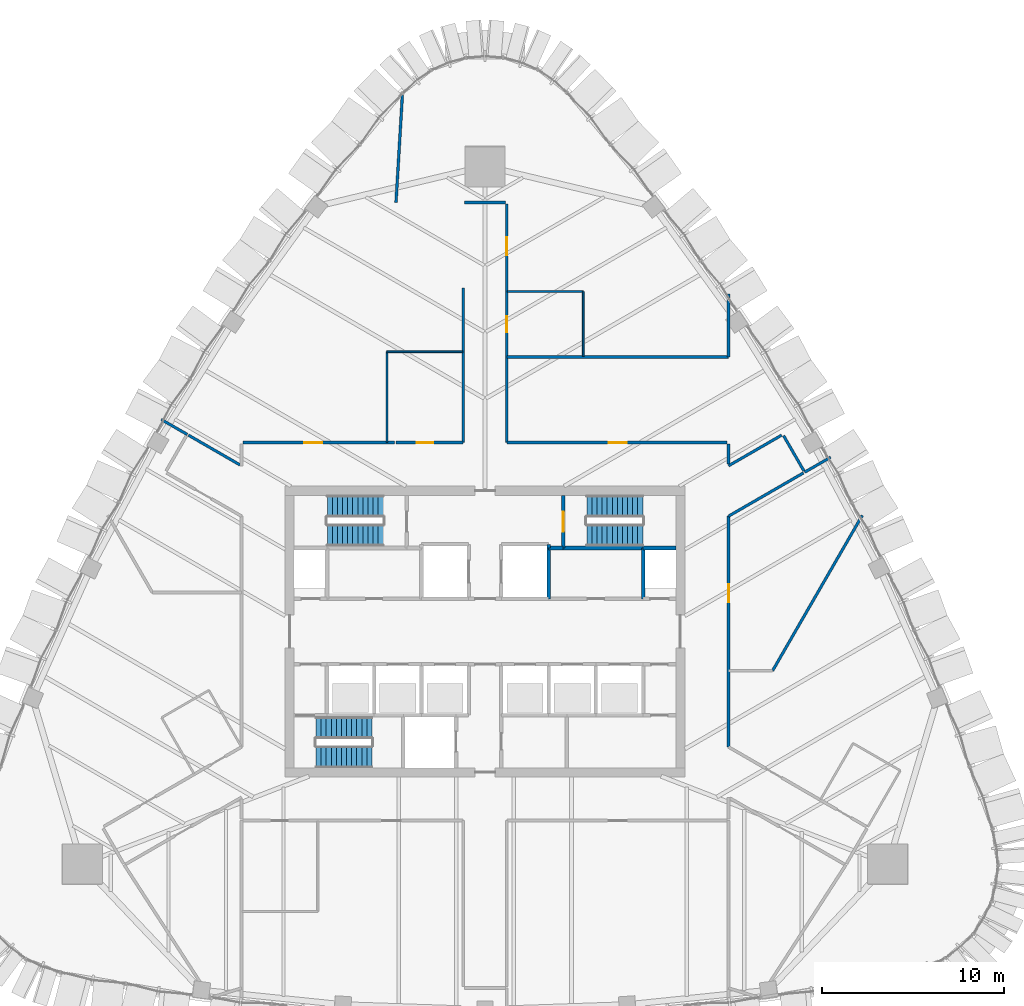
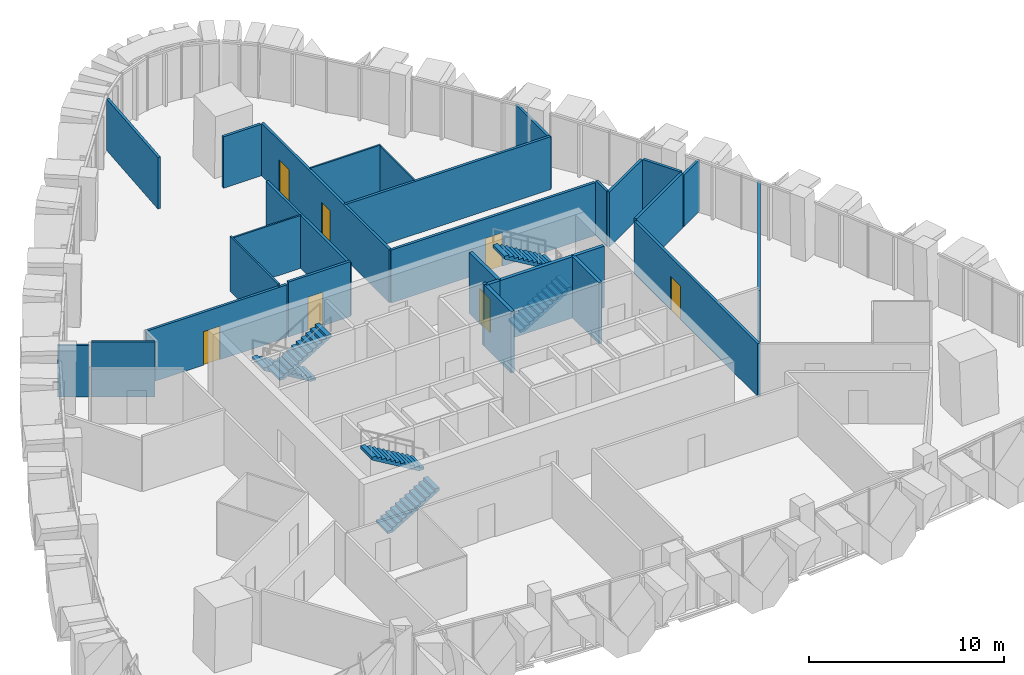
# One storey, part 15 of 19: 29 walls, 7 doors, 6 stair flights, 7 openings, 3 elements without a shape of their own.
"""IFC4 building model written with IfcOpenShell, lengths in metres."""

from ifc_helpers import new_model, si_unit, direction, frame, frame_2d, origin, place, context, subcontext, project, spatial, polyline, rectangle, outline, extrude, material, layer, layer_set, type_object, element, fill, aggregate, save


model = new_model("IFC4")

# Units and contexts
model_context = context("Model", 3, precision=1e-05, world=origin(), true_north=direction((0.0, 1.0)))
body_context = subcontext(model_context, "Body", "Model", "MODEL_VIEW")
ifc_project = project(units=[si_unit("LENGTHUNIT", "METRE"), si_unit("AREAUNIT", "SQUARE_METRE"), si_unit("VOLUMEUNIT", "CUBIC_METRE"), si_unit("PLANEANGLEUNIT", "RADIAN"), si_unit("MASSUNIT", "GRAM", prefix="KILO")], contexts=[model_context])

# Site, building, storey
site_placement = place(None, origin())
site = spatial("IfcSite", under=ifc_project, at=site_placement, CompositionType="ELEMENT")
building_placement = place(site_placement, origin())
building = spatial("IfcBuilding", under=site, at=building_placement, Name="Sierra Prisma Convention Tower", CompositionType="ELEMENT")
storey_placement = place(building_placement, frame((0.0, 0.0, 235.0)))
storey = spatial("IfcBuildingStorey", under=building, at=storey_placement, Name="L52", CompositionType="ELEMENT", Elevation=235.0)

# Walls
ifc_material_1 = material(Name="Gypsum board partition", Category="gypsum")
ifc_layer_1 = layer(ifc_material_1, 0.10009765625)
ifc_layer_set_1 = layer_set([ifc_layer_1], Name="Bathroom partition 100")
wall_type_1 = type_object("IfcWallType", Name="Bathroom partition 100", PredefinedType="PARTITIONING", material=ifc_layer_set_1)
wall_1_placement = place(storey_placement, frame((-5.39990234375, 10.429931640625, 0.0), z_axis=(0.0, 0.0, 1.0), x_axis=(0.0, 1.0, 0.0)))
element("IfcWall", 1, at=wall_1_placement, inside=storey, type_object=wall_type_1, Name="Partition L52 bath 6", PredefinedType="PARTITIONING", context=body_context, shape_type="SweptSolid", body=[
    extrude(rectangle(XDim=4.969970703125, YDim=0.10009765625, at=frame_2d((2.48486328125, 0.0))), origin(), (0.0, 0.0, 1.0), 3.449951171875),
])
wall_2_placement = place(storey_placement, frame((-5.39990234375, 15.39990234375, 0.0), z_axis=(0.0, 0.0, 1.0), x_axis=(1.0, 0.0, 0.0)))
element("IfcWall", 2, at=wall_2_placement, inside=storey, type_object=wall_type_1, Name="Partition L52 bath 7", PredefinedType="PARTITIONING", context=body_context, shape_type="SweptSolid", body=[
    extrude(rectangle(XDim=4.169921875, YDim=0.10009765625, at=frame_2d((2.0849609375, 0.0))), origin(), (0.0, 0.0, 1.0), 3.31689453125),
])
wall_3_placement = place(storey_placement, frame((1.22998046875, 18.712158203125, 0.0), z_axis=(0.0, 0.0, 1.0), x_axis=(1.0, 0.0, 0.0)))
element("IfcWall", 3, at=wall_3_placement, inside=storey, type_object=wall_type_1, Name="Partition L52 bath 8", PredefinedType="PARTITIONING", context=body_context, shape_type="SweptSolid", body=[
    extrude(rectangle(XDim=4.169921875, YDim=0.10009765625, at=frame_2d((2.0849609375, 0.0))), origin(), (0.0, 0.0, 1.0), 3.39306640625),
])
wall_4_placement = place(storey_placement, frame((5.39990234375, 18.712158203125, 0.0), z_axis=(0.0, 0.0, 1.0), x_axis=(0.0, -1.0, 0.0)))
element("IfcWall", 4, at=wall_4_placement, inside=storey, type_object=wall_type_1, Name="Partition L52 bath 9", PredefinedType="PARTITIONING", context=body_context, shape_type="SweptSolid", body=[
    extrude(rectangle(XDim=3.570068359375, YDim=0.10009765625, at=frame_2d((1.78515625, 0.0))), origin(), (0.0, 0.0, 1.0), 3.31689453125),
])
ifc_material_2 = material(Name="Concrete C30/37", Category="concrete")
ifc_layer_2 = layer(ifc_material_2, 0.199951171875)
ifc_layer_set_2 = layer_set([ifc_layer_2], Name="Core wall RC 200 C30/37")
wall_type_2 = type_object("IfcWallType", Name="Core wall RC 200 C30/37", PredefinedType="SOLIDWALL", material=ifc_layer_set_2)
wall_5_placement = place(storey_placement, frame((3.5, 4.60009765625, 0.0), z_axis=(0.0, 0.0, 1.0), x_axis=(0.0, 1.0, 0.0)))
element("IfcWall", 5, at=wall_5_placement, inside=storey, type_object=wall_type_2, Name="Core wall L52 36", PredefinedType="SOLIDWALL", context=body_context, shape_type="SweptSolid", body=[
    extrude(rectangle(XDim=0.199951171875, YDim=0.199951171875, at=frame_2d((0.10009765625, 0.0))), origin(), (0.0, 0.0, 1.0), 3.85009765625),
])
wall_6_placement = place(storey_placement, frame((3.5, 4.60009765625, 0.0), z_axis=(0.0, 0.0, 1.0), x_axis=(0.0, -1.0, 0.0)))
element("IfcWall", 6, at=wall_6_placement, inside=storey, type_object=wall_type_2, Name="Core wall L52 43", PredefinedType="SOLIDWALL", context=body_context, shape_type="SweptSolid", body=[
    extrude(rectangle(XDim=2.800048828125, YDim=0.199951171875, at=frame_2d((1.39990234375, 0.0))), origin(), (0.0, 0.0, 1.0), 3.85009765625),
])
wall_7_placement = place(storey_placement, frame((4.300048828125, 4.60009765625, 0.0), z_axis=(0.0, 0.0, 1.0), x_axis=(-1.0, 0.0, 0.0)))
element("IfcWall", 7, at=wall_7_placement, inside=storey, type_object=wall_type_2, Name="Core wall L52 44", PredefinedType="SOLIDWALL", context=body_context, shape_type="SweptSolid", body=[
    extrude(rectangle(XDim=0.800048828125, YDim=0.199951171875, at=frame_2d((0.39990234375, 0.0))), origin(), (0.0, 0.0, 1.0), 3.85009765625),
])
wall_8_placement = place(storey_placement, frame((8.699951171875, 4.60009765625, 0.0), z_axis=(0.0, 0.0, 1.0), x_axis=(-1.0, 0.0, 0.0)))
element("IfcWall", 8, at=wall_8_placement, inside=storey, type_object=wall_type_2, Name="Core wall L52 45", PredefinedType="SOLIDWALL", context=body_context, shape_type="SweptSolid", body=[
    extrude(rectangle(XDim=4.39990234375, YDim=0.199951171875, at=frame_2d((2.199951171875, 0.0))), origin(), (0.0, 0.0, 1.0), 3.85009765625),
])

# Wall, opening, door
wall_9_placement = place(storey_placement, frame((4.300048828125, 7.5, 0.0), z_axis=(0.0, 0.0, 1.0), x_axis=(0.0, -1.0, 0.0)))
wall_9 = element("IfcWall", 9, at=wall_9_placement, inside=storey, type_object=wall_type_2, Name="Core wall L52 46", PredefinedType="SOLIDWALL", context=body_context, shape_type="SweptSolid", body=[
    extrude(rectangle(XDim=2.89990234375, YDim=0.199951171875, at=frame_2d((1.449951171875, 0.0))), origin(), (0.0, 0.0, 1.0), 3.85009765625),
])
opening_1_placement = place(wall_9_placement, frame((0.89990234375, 0.0, 0.0)))
opening_1 = element("IfcOpeningElement", 10, at=opening_1_placement, cuts=wall_9, Name="Opening L52-D017", PredefinedType="OPENING", context=body_context, shape_type="SweptSolid", body=[
    extrude(rectangle(XDim=1.10009765625, YDim=2.10009765625, at=frame_2d((0.550048828125, 1.050048828125))), frame((0.0, 0.10009765625, 0.0), z_axis=(0.0, -1.0, 0.0), x_axis=(1.0, 0.0, 0.0)), (0.0, 0.0, 1.0), 0.199951171875),
])
ifc_material_3 = material(Name="Steel fire door leaf", Category="steel")
door_type_1 = type_object("IfcDoorType", Name="Door 1100x2100 FD90S", OperationType="SINGLE_SWING_LEFT", PredefinedType="DOOR", material=ifc_material_3)
door_1_placement = place(opening_1_placement, origin())
door_1 = element("IfcDoor", 11, at=door_1_placement, inside=storey, type_object=door_type_1, Name="Door L52 33", OperationType="SINGLE_SWING_LEFT", OverallHeight=2.10009765625, OverallWidth=1.10009765625, PredefinedType="DOOR", context=body_context, shape_type="SweptSolid", body=[
    extrude(rectangle(XDim=1.10009765625, YDim=2.10009765625, at=frame_2d((0.550048828125, 1.050048828125))), frame((0.0, 0.02490234375, 0.0), z_axis=(0.0, -1.0, 0.0), x_axis=(1.0, 0.0, 0.0)), (0.0, 0.0, 1.0), 0.050048828125),
])
fill(opening_1, door_1)

# Walls
wall_10_placement = place(storey_placement, frame((8.699951171875, 1.800048828125, 0.0), z_axis=(0.0, 0.0, 1.0), x_axis=(0.0, 1.0, 0.0)))
element("IfcWall", 12, at=wall_10_placement, inside=storey, type_object=wall_type_2, Name="Core wall L52 56", PredefinedType="SOLIDWALL", context=body_context, shape_type="SweptSolid", body=[
    extrude(rectangle(XDim=2.800048828125, YDim=0.199951171875, at=frame_2d((1.39990234375, 0.0))), origin(), (0.0, 0.0, 1.0), 3.85009765625),
])
wall_11_placement = place(storey_placement, frame((10.5, 4.60009765625, 0.0), z_axis=(0.0, 0.0, 1.0), x_axis=(-1.0, 0.0, 0.0)))
element("IfcWall", 13, at=wall_11_placement, inside=storey, type_object=wall_type_2, Name="Core wall L52 57", PredefinedType="SOLIDWALL", context=body_context, shape_type="SweptSolid", body=[
    extrude(rectangle(XDim=1.800048828125, YDim=0.199951171875, at=frame_2d((0.89990234375, 0.0))), origin(), (0.0, 0.0, 1.0), 3.85009765625),
])
ifc_material_4 = material(Name="Gypsum board partition", Category="gypsum")
ifc_layer_3 = layer(ifc_material_4, 0.14990234375)
ifc_layer_set_3 = layer_set([ifc_layer_3], Name="Corridor wall 150 gypsum EI 60")
wall_type_3 = type_object("IfcWallType", Name="Corridor wall 150 gypsum EI 60", PredefinedType="PARTITIONING", material=ifc_layer_set_3)
wall_12_placement = place(storey_placement, frame((-13.479248046875, 9.16796875, 0.0), z_axis=(0.0, 0.0, 1.0), x_axis=(-0.866021955858, 0.500005971936, 0.0)))
element("IfcWall", 14, at=wall_12_placement, inside=storey, type_object=wall_type_3, Name="Partition L52 corr 9", PredefinedType="PARTITIONING", context=body_context, shape_type="SweptSolid", body=[
    extrude(rectangle(XDim=3.27978515625, YDim=0.14990234375, at=frame_2d((1.639892578125, 0.0))), origin(), (0.0, 0.0, 1.0), 3.449951171875),
])

# Wall, opening, door
wall_13_placement = place(storey_placement, frame((-4.97998046875, 10.39990234375, 0.0), z_axis=(0.0, 0.0, 1.0), x_axis=(-1.0, 0.0, 0.0)))
wall_13 = element("IfcWall", 15, at=wall_13_placement, inside=storey, type_object=wall_type_3, Name="Partition L52 corr 12", PredefinedType="PARTITIONING", context=body_context, shape_type="SweptSolid", body=[
    extrude(rectangle(XDim=8.340087890625, YDim=0.14990234375, at=frame_2d((4.169921875, 0.0))), origin(), (0.0, 0.0, 1.0), 3.31689453125),
])
opening_2_placement = place(wall_13_placement, frame((3.969970703125, 0.0, 0.0)))
opening_2 = element("IfcOpeningElement", 16, at=opening_2_placement, cuts=wall_13, Name="Opening L52-D028", PredefinedType="OPENING", context=body_context, shape_type="SweptSolid", body=[
    extrude(rectangle(XDim=1.0, YDim=2.10009765625, at=frame_2d((0.5, 1.050048828125))), frame((0.0, 0.074951171875, 0.0), z_axis=(0.0, -1.0, 0.0), x_axis=(1.0, 0.0, 0.0)), (0.0, 0.0, 1.0), 0.14990234375),
])
ifc_material_5 = material(Name="Steel fire door leaf", Category="steel")
door_type_2 = type_object("IfcDoorType", Name="Door 1000x2100 FD30S", OperationType="SINGLE_SWING_LEFT", PredefinedType="DOOR", material=ifc_material_5)
door_2_placement = place(opening_2_placement, origin())
door_2 = element("IfcDoor", 17, at=door_2_placement, inside=storey, type_object=door_type_2, Name="Door L52 6", OperationType="SINGLE_SWING_RIGHT", OverallHeight=2.10009765625, OverallWidth=1.0, PredefinedType="DOOR", context=body_context, shape_type="SweptSolid", body=[
    extrude(rectangle(XDim=1.0, YDim=2.10009765625, at=frame_2d((0.5, 1.050048828125))), frame((0.0, 0.02490234375, 0.0), z_axis=(0.0, -1.0, 0.0), x_axis=(1.0, 0.0, 0.0)), (0.0, 0.0, 1.0), 0.050048828125),
])
fill(opening_2, door_2)

# Wall
wall_14_placement = place(storey_placement, frame((-1.199951171875, 18.89990234375, 0.0), z_axis=(0.0, 0.0, 1.0), x_axis=(0.0, -1.0, 0.0)))
element("IfcWall", 18, at=wall_14_placement, inside=storey, type_object=wall_type_3, Name="Partition L52 corr 13", PredefinedType="PARTITIONING", context=body_context, shape_type="SweptSolid", body=[
    extrude(rectangle(XDim=8.5, YDim=0.14990234375, at=frame_2d((4.25, 0.0))), origin(), (0.0, 0.0, 1.0), 3.31689453125),
])

# Wall, opening, door
wall_15_placement = place(storey_placement, frame((-1.199951171875, 10.39990234375, 0.0), z_axis=(0.0, 0.0, 1.0), x_axis=(-1.0, 0.0, 0.0)))
wall_15 = element("IfcWall", 19, at=wall_15_placement, inside=storey, type_object=wall_type_3, Name="Partition L52 corr 14", PredefinedType="PARTITIONING", context=body_context, shape_type="SweptSolid", body=[
    extrude(rectangle(XDim=3.699951171875, YDim=0.14990234375, at=frame_2d((1.85009765625, 0.0))), origin(), (0.0, 0.0, 1.0), 3.449951171875),
])
opening_3_placement = place(wall_15_placement, frame((1.64990234375, 0.0, 0.0)))
opening_3 = element("IfcOpeningElement", 20, at=opening_3_placement, cuts=wall_15, Name="Opening L52-D027", PredefinedType="OPENING", context=body_context, shape_type="SweptSolid", body=[
    extrude(rectangle(XDim=0.89990234375, YDim=2.10009765625, at=frame_2d((0.449951171875, 1.050048828125))), frame((0.0, 0.074951171875, 0.0), z_axis=(0.0, -1.0, 0.0), x_axis=(1.0, 0.0, 0.0)), (0.0, 0.0, 1.0), 0.14990234375),
])
ifc_material_6 = material(Name="Steel fire door leaf", Category="steel")
door_type_3 = type_object("IfcDoorType", Name="Door 900x2100 FD30S", OperationType="SINGLE_SWING_LEFT", PredefinedType="DOOR", material=ifc_material_6)
door_3_placement = place(opening_3_placement, origin())
door_3 = element("IfcDoor", 21, at=door_3_placement, inside=storey, type_object=door_type_3, Name="Door L52 5", OperationType="SINGLE_SWING_RIGHT", OverallHeight=2.10009765625, OverallWidth=0.89990234375, PredefinedType="DOOR", context=body_context, shape_type="SweptSolid", body=[
    extrude(rectangle(XDim=0.89990234375, YDim=2.10009765625, at=frame_2d((0.449951171875, 1.050048828125))), frame((0.0, 0.02490234375, 0.0), z_axis=(0.0, -1.0, 0.0), x_axis=(1.0, 0.0, 0.0)), (0.0, 0.0, 1.0), 0.050048828125),
])
fill(opening_3, door_3)

# Wall
wall_16_placement = place(storey_placement, frame((1.1201171875, 23.6123046875, 0.0), z_axis=(0.0, 0.0, 1.0), x_axis=(-1.0, 0.0, 0.0)))
element("IfcWall", 22, at=wall_16_placement, inside=storey, type_object=wall_type_3, Name="Partition L52 corr 16", PredefinedType="PARTITIONING", context=body_context, shape_type="SweptSolid", body=[
    extrude(rectangle(XDim=2.240234375, YDim=0.14990234375, at=frame_2d((1.1201171875, 0.0))), origin(), (0.0, 0.0, 1.0), 3.23291015625),
])

# Wall, opening, door
wall_17_placement = place(storey_placement, frame((13.320068359375, 10.39990234375, 0.0), z_axis=(0.0, 0.0, 1.0), x_axis=(-1.0, 0.0, 0.0)))
wall_17 = element("IfcWall", 23, at=wall_17_placement, inside=storey, type_object=wall_type_3, Name="Partition L52 corr 19", PredefinedType="PARTITIONING", context=body_context, shape_type="SweptSolid", body=[
    extrude(rectangle(XDim=12.1201171875, YDim=0.14990234375, at=frame_2d((6.06005859375, 0.0))), origin(), (0.0, 0.0, 1.0), 3.31689453125),
])
opening_4_placement = place(wall_17_placement, frame((5.52001953125, 0.0, 0.0)))
opening_4 = element("IfcOpeningElement", 24, at=opening_4_placement, cuts=wall_17, Name="Opening L52-D024", PredefinedType="OPENING", context=body_context, shape_type="SweptSolid", body=[
    extrude(rectangle(XDim=1.0, YDim=2.10009765625, at=frame_2d((0.5, 1.050048828125))), frame((0.0, 0.074951171875, 0.0), z_axis=(0.0, -1.0, 0.0), x_axis=(1.0, 0.0, 0.0)), (0.0, 0.0, 1.0), 0.14990234375),
])
door_4_placement = place(opening_4_placement, origin())
door_4 = element("IfcDoor", 25, at=door_4_placement, inside=storey, type_object=door_type_2, Name="Door L52 2", OperationType="SINGLE_SWING_LEFT", OverallHeight=2.10009765625, OverallWidth=1.0, PredefinedType="DOOR", context=body_context, shape_type="SweptSolid", body=[
    extrude(rectangle(XDim=1.0, YDim=2.10009765625, at=frame_2d((0.5, 1.050048828125))), frame((0.0, 0.02490234375, 0.0), z_axis=(0.0, -1.0, 0.0), x_axis=(1.0, 0.0, 0.0)), (0.0, 0.0, 1.0), 0.050048828125),
])
fill(opening_4, door_4)

# Wall, openings, doors
wall_18_placement = place(storey_placement, frame((1.199951171875, 10.39990234375, 0.0), z_axis=(0.0, 0.0, 1.0), x_axis=(0.0, 1.0, 0.0)))
wall_18 = element("IfcWall", 26, at=wall_18_placement, inside=storey, type_object=wall_type_3, Name="Partition L52 corr 20", PredefinedType="PARTITIONING", context=body_context, shape_type="SweptSolid", body=[
    extrude(rectangle(XDim=13.13232421875, YDim=0.14990234375, at=frame_2d((6.566162109375, 0.0))), origin(), (0.0, 0.0, 1.0), 3.31689453125),
])
opening_5_placement = place(wall_18_placement, frame((6.062255859375, 0.0, 0.0)))
opening_5 = element("IfcOpeningElement", 27, at=opening_5_placement, cuts=wall_18, Name="Opening L52-D025", PredefinedType="OPENING", context=body_context, shape_type="SweptSolid", body=[
    extrude(rectangle(XDim=0.89990234375, YDim=2.10009765625, at=frame_2d((0.449951171875, 1.050048828125))), frame((0.0, 0.074951171875, 0.0), z_axis=(0.0, -1.0, 0.0), x_axis=(1.0, 0.0, 0.0)), (0.0, 0.0, 1.0), 0.14990234375),
])
opening_6_placement = place(wall_18_placement, frame((10.312255859375, 0.0, 0.0)))
opening_6 = element("IfcOpeningElement", 28, at=opening_6_placement, cuts=wall_18, Name="Opening L52-D026", PredefinedType="OPENING", context=body_context, shape_type="SweptSolid", body=[
    extrude(rectangle(XDim=1.0, YDim=2.10009765625, at=frame_2d((0.5, 1.050048828125))), frame((0.0, 0.074951171875, 0.0), z_axis=(0.0, -1.0, 0.0), x_axis=(1.0, 0.0, 0.0)), (0.0, 0.0, 1.0), 0.14990234375),
])
door_5_placement = place(opening_6_placement, origin())
door_5 = element("IfcDoor", 29, at=door_5_placement, inside=storey, type_object=door_type_2, Name="Door L52 4", OperationType="SINGLE_SWING_RIGHT", OverallHeight=2.10009765625, OverallWidth=1.0, PredefinedType="DOOR", context=body_context, shape_type="SweptSolid", body=[
    extrude(rectangle(XDim=1.0, YDim=2.10009765625, at=frame_2d((0.5, 1.050048828125))), frame((0.0, 0.02490234375, 0.0), z_axis=(0.0, -1.0, 0.0), x_axis=(1.0, 0.0, 0.0)), (0.0, 0.0, 1.0), 0.050048828125),
])
fill(opening_6, door_5)
door_6_placement = place(opening_5_placement, origin())
door_6 = element("IfcDoor", 30, at=door_6_placement, inside=storey, type_object=door_type_3, Name="Door L52 3", OperationType="SINGLE_SWING_RIGHT", OverallHeight=2.10009765625, OverallWidth=0.89990234375, PredefinedType="DOOR", context=body_context, shape_type="SweptSolid", body=[
    extrude(rectangle(XDim=0.89990234375, YDim=2.10009765625, at=frame_2d((0.449951171875, 1.050048828125))), frame((0.0, 0.02490234375, 0.0), z_axis=(0.0, -1.0, 0.0), x_axis=(1.0, 0.0, 0.0)), (0.0, 0.0, 1.0), 0.050048828125),
])
fill(opening_5, door_6)

# Walls
wall_19_placement = place(storey_placement, frame((16.319580078125, 10.807861328125, 0.0), z_axis=(0.0, 0.0, 1.0), x_axis=(-0.86601072442, -0.500025424544, 0.0)))
element("IfcWall", 31, at=wall_19_placement, inside=storey, type_object=wall_type_3, Name="Partition L52 corr 23", PredefinedType="PARTITIONING", context=body_context, shape_type="SweptSolid", body=[
    extrude(rectangle(XDim=3.371337890625, YDim=0.14990234375, at=frame_2d((1.685546875, 0.0))), origin(), (0.0, 0.0, 1.0), 3.449951171875),
])
wall_20_placement = place(storey_placement, frame((13.39990234375, 9.213623046875, 0.0), z_axis=(0.0, 0.0, 1.0), x_axis=(0.0, 1.0, 0.0)))
element("IfcWall", 32, at=wall_20_placement, inside=storey, type_object=wall_type_3, Name="Partition L52 corr 24", PredefinedType="PARTITIONING", context=body_context, shape_type="SweptSolid", body=[
    extrude(rectangle(XDim=1.1064453125, YDim=0.14990234375, at=frame_2d((0.55322265625, 0.0))), origin(), (0.0, 0.0, 1.0), 3.449951171875),
])
wall_21_placement = place(storey_placement, frame((17.548828125, 8.838623046875, 0.0), z_axis=(0.0, 0.0, 1.0), x_axis=(-0.49994888933, 0.866054910533, 0.0)))
element("IfcWall", 33, at=wall_21_placement, inside=storey, type_object=wall_type_3, Name="Partition L52 corr 25", PredefinedType="PARTITIONING", context=body_context, shape_type="SweptSolid", body=[
    extrude(rectangle(XDim=2.239990234375, YDim=0.14990234375, at=frame_2d((1.1201171875, 0.0))), origin(), (0.0, 0.0, 1.0), 3.449951171875),
])

# Wall, opening, door
wall_22_placement = place(storey_placement, frame((13.39990234375, -6.350830078125, 0.0), z_axis=(0.0, 0.0, 1.0), x_axis=(0.0, 1.0, 0.0)))
wall_22 = element("IfcWall", 34, at=wall_22_placement, inside=storey, type_object=wall_type_3, Name="Partition L52 corr 27", PredefinedType="PARTITIONING", context=body_context, shape_type="SweptSolid", body=[
    extrude(rectangle(XDim=12.70166015625, YDim=0.14990234375, at=frame_2d((6.350830078125, 0.0))), origin(), (0.0, 0.0, 1.0), 3.31689453125),
])
opening_7_placement = place(wall_22_placement, frame((7.951904296875, 0.0, 0.0)))
opening_7 = element("IfcOpeningElement", 35, at=opening_7_placement, cuts=wall_22, Name="Opening L52-D023", PredefinedType="OPENING", context=body_context, shape_type="SweptSolid", body=[
    extrude(rectangle(XDim=1.0, YDim=2.10009765625, at=frame_2d((0.5, 1.050048828125))), frame((0.0, 0.074951171875, 0.0), z_axis=(0.0, -1.0, 0.0), x_axis=(1.0, 0.0, 0.0)), (0.0, 0.0, 1.0), 0.14990234375),
])
door_7_placement = place(opening_7_placement, origin())
door_7 = element("IfcDoor", 36, at=door_7_placement, inside=storey, type_object=door_type_2, Name="Door L52 1", OperationType="SINGLE_SWING_RIGHT", OverallHeight=2.10009765625, OverallWidth=1.0, PredefinedType="DOOR", context=body_context, shape_type="SweptSolid", body=[
    extrude(rectangle(XDim=1.0, YDim=2.10009765625, at=frame_2d((0.5, 1.050048828125))), frame((0.0, 0.02490234375, 0.0), z_axis=(0.0, -1.0, 0.0), x_axis=(1.0, 0.0, 0.0)), (0.0, 0.0, 1.0), 0.050048828125),
])
fill(opening_7, door_7)

# Walls
wall_23_placement = place(storey_placement, frame((13.39990234375, 6.350830078125, 0.0), z_axis=(0.0, 0.0, 1.0), x_axis=(0.866042865666, 0.499969753915, 0.0)))
element("IfcWall", 37, at=wall_23_placement, inside=storey, type_object=wall_type_3, Name="Partition L52 corr 28", PredefinedType="PARTITIONING", context=body_context, shape_type="SweptSolid", body=[
    extrude(rectangle(XDim=4.757080078125, YDim=0.14990234375, at=frame_2d((2.37841796875, 0.0))), origin(), (0.0, 0.0, 1.0), 3.449951171875),
])
ifc_material_7 = material(Name="Gypsum board partition", Category="gypsum")
ifc_layer_4 = layer(ifc_material_7, 0.14990234375)
ifc_layer_set_4 = layer_set([ifc_layer_4], Name="Party wall 150 gypsum")
wall_type_4 = type_object("IfcWallType", Name="Party wall 150 gypsum", PredefinedType="PARTITIONING", material=ifc_layer_set_4)
wall_24_placement = place(storey_placement, frame((-16.388916015625, 10.847900390625, 0.0), z_axis=(0.0, 0.0, 1.0), x_axis=(-0.866067297121, 0.499927431592, 0.0)))
element("IfcWall", 38, at=wall_24_placement, inside=storey, type_object=wall_type_4, Name="Partition L52 party 4", PredefinedType="PARTITIONING", context=body_context, shape_type="SweptSolid", body=[
    extrude(rectangle(XDim=1.649658203125, YDim=0.14990234375, at=frame_2d((0.82470703125, 0.0))), origin(), (0.0, 0.0, 1.0), 3.23388671875),
])
wall_25_placement = place(storey_placement, frame((-4.89990234375, 23.6123046875, 0.0), z_axis=(0.0, 0.0, 1.0), x_axis=(0.059353074878, 0.998237052259, 0.0)))
element("IfcWall", 39, at=wall_25_placement, inside=storey, type_object=wall_type_4, Name="Partition L52 party 8", PredefinedType="PARTITIONING", context=body_context, shape_type="SweptSolid", body=[
    extrude(rectangle(XDim=5.919189453125, YDim=0.14990234375, at=frame_2d((2.95947265625, 0.0))), origin(), (0.0, 0.0, 1.0), 3.23388671875),
])
wall_26_placement = place(storey_placement, frame((1.199951171875, 15.1123046875, 0.0), z_axis=(0.0, 0.0, 1.0), x_axis=(1.0, 0.0, 0.0)))
element("IfcWall", 40, at=wall_26_placement, inside=storey, type_object=wall_type_4, Name="Partition L52 party 10", PredefinedType="PARTITIONING", context=body_context, shape_type="SweptSolid", body=[
    extrude(rectangle(XDim=12.199951171875, YDim=0.14990234375, at=frame_2d((6.10009765625, 0.0))), origin(), (0.0, 0.0, 1.0), 3.31689453125),
])
wall_27_placement = place(storey_placement, frame((13.39990234375, 15.1123046875, 0.0), z_axis=(0.0, 0.0, 1.0), x_axis=(0.0, 1.0, 0.0)))
element("IfcWall", 41, at=wall_27_placement, inside=storey, type_object=wall_type_4, Name="Partition L52 party 11", PredefinedType="PARTITIONING", context=body_context, shape_type="SweptSolid", body=[
    extrude(rectangle(XDim=3.4619140625, YDim=0.14990234375, at=frame_2d((1.73095703125, 0.0))), origin(), (0.0, 0.0, 1.0), 3.23388671875),
])
wall_28_placement = place(storey_placement, frame((20.756591796875, 6.39111328125, 0.0), z_axis=(0.0, 0.0, 1.0), x_axis=(-0.499994619654, -0.866028510106, 0.0)))
element("IfcWall", 42, at=wall_28_placement, inside=storey, type_object=wall_type_4, Name="Partition L52 party 14", PredefinedType="PARTITIONING", context=body_context, shape_type="SweptSolid", body=[
    extrude(rectangle(XDim=9.861328125, YDim=0.14990234375, at=frame_2d((4.9306640625, 0.0))), origin(), (0.0, 0.0, 1.0), 3.23388671875),
])
wall_29_placement = place(storey_placement, frame((17.5888671875, 8.769287109375, 0.0), z_axis=(0.0, 0.0, 1.0), x_axis=(0.866003217194, 0.500038426333, 0.0)))
element("IfcWall", 43, at=wall_29_placement, inside=storey, type_object=wall_type_4, Name="Partition L52 party 18", PredefinedType="PARTITIONING", context=body_context, shape_type="SweptSolid", body=[
    extrude(rectangle(XDim=1.649658203125, YDim=0.14990234375, at=frame_2d((0.82470703125, 0.0))), origin(), (0.0, 0.0, 1.0), 3.23388671875),
])

# Stair, stair flights
ifc_material_8 = material(Name="Concrete C30/37", Category="concrete")
stair_type = type_object("IfcStairType", Name="Stair dog-leg 1200 RC", PredefinedType="HALF_TURN_STAIR", material=ifc_material_8)
stair_1_placement = place(storey_placement, origin())
stair_1 = element("IfcStair", 44, at=stair_1_placement, inside=storey, type_object=stair_type, Name="L52 S1", PredefinedType="HALF_TURN_STAIR")
ifc_material_9 = material(Name="Concrete C30/37", Category="concrete")
stair_flight_type = type_object("IfcStairFlightType", Name="Stair flight RC 1200", PredefinedType="STRAIGHT", material=ifc_material_9)
stair_flight_1_placement = place(storey_placement, frame((-9.300048828125, -6.89990234375, 0.0), z_axis=(0.0, 0.0, 1.0), x_axis=(1.0, 0.0, 0.0)))
stair_flight_1 = element("IfcStairFlight", 45, at=stair_flight_1_placement, type_object=stair_flight_type, Name="S1 flight 1", NumberOfRisers=12, NumberOfTreads=11, PredefinedType="STRAIGHT", RiserHeight=0.166666667, TreadLength=0.28, context=body_context, shape_type="SweptSolid", body=[
    extrude(outline(polyline([(0.0, 0.0), (0.0, 0.166748046875), (0.280029296875, 0.166748046875), (0.280029296875, 0.333251953125), (0.56005859375, 0.333251953125), (0.56005859375, 0.5), (0.840087890625, 0.5), (0.840087890625, 0.666748046875), (1.1201171875, 0.666748046875), (1.1201171875, 0.833251953125), (1.39990234375, 0.833251953125), (1.39990234375, 1.0), (1.679931640625, 1.0), (1.679931640625, 1.166748046875), (1.9599609375, 1.166748046875), (1.9599609375, 1.333251953125), (2.239990234375, 1.333251953125), (2.239990234375, 1.5), (2.52001953125, 1.5), (2.52001953125, 1.666748046875), (2.800048828125, 1.666748046875), (2.800048828125, 1.833251953125), (3.080078125, 1.833251953125), (3.080078125, 2.0), (3.080078125, 1.658935546875), (0.29296875, 0.0), (0.0, 0.0)])), frame((0.0, 0.60009765625, 0.0), z_axis=(0.0, -1.0, 0.0), x_axis=(1.0, 0.0, 0.0)), (0.0, 0.0, 1.0), 1.199951171875),
])
stair_flight_2_placement = place(storey_placement, frame((-6.219970703125, -5.300048828125, 2.0), z_axis=(0.0, 0.0, 1.0), x_axis=(-1.0, 0.0, 0.0)))
stair_flight_2 = element("IfcStairFlight", 46, at=stair_flight_2_placement, type_object=stair_flight_type, Name="S1 flight 2", NumberOfRisers=12, NumberOfTreads=11, PredefinedType="STRAIGHT", RiserHeight=0.166666667, TreadLength=0.28, context=body_context, shape_type="SweptSolid", body=[
    extrude(outline(polyline([(0.0, 0.0), (0.0, 0.166748046875), (0.280029296875, 0.166748046875), (0.280029296875, 0.333251953125), (0.56005859375, 0.333251953125), (0.56005859375, 0.5), (0.840087890625, 0.5), (0.840087890625, 0.666748046875), (1.1201171875, 0.666748046875), (1.1201171875, 0.833251953125), (1.39990234375, 0.833251953125), (1.39990234375, 1.0), (1.679931640625, 1.0), (1.679931640625, 1.166748046875), (1.9599609375, 1.166748046875), (1.9599609375, 1.333251953125), (2.239990234375, 1.333251953125), (2.239990234375, 1.5), (2.52001953125, 1.5), (2.52001953125, 1.666748046875), (2.800048828125, 1.666748046875), (2.800048828125, 1.833251953125), (3.080078125, 1.833251953125), (3.080078125, 2.0), (3.080078125, 1.658935546875), (0.29296875, 0.0), (0.0, 0.0)])), frame((0.0, 0.60009765625, 0.0), z_axis=(0.0, -1.0, 0.0), x_axis=(1.0, 0.0, 0.0)), (0.0, 0.0, 1.0), 1.199951171875),
])
aggregate(stair_1, [stair_flight_1, stair_flight_2])

stair_2_placement = place(storey_placement, origin())
stair_2 = element("IfcStair", 47, at=stair_2_placement, inside=storey, type_object=stair_type, Name="L52 S3", PredefinedType="HALF_TURN_STAIR")
stair_flight_3_placement = place(storey_placement, frame((-5.60009765625, 6.89990234375, 0.0), z_axis=(0.0, 0.0, 1.0), x_axis=(-1.0, 0.0, 0.0)))
stair_flight_3 = element("IfcStairFlight", 48, at=stair_flight_3_placement, type_object=stair_flight_type, Name="S3 flight 1", NumberOfRisers=12, NumberOfTreads=11, PredefinedType="STRAIGHT", RiserHeight=0.166666667, TreadLength=0.28, context=body_context, shape_type="SweptSolid", body=[
    extrude(outline(polyline([(0.0, 0.0), (0.0, 0.166748046875), (0.280029296875, 0.166748046875), (0.280029296875, 0.333251953125), (0.56005859375, 0.333251953125), (0.56005859375, 0.5), (0.840087890625, 0.5), (0.840087890625, 0.666748046875), (1.1201171875, 0.666748046875), (1.1201171875, 0.833251953125), (1.39990234375, 0.833251953125), (1.39990234375, 1.0), (1.679931640625, 1.0), (1.679931640625, 1.166748046875), (1.9599609375, 1.166748046875), (1.9599609375, 1.333251953125), (2.239990234375, 1.333251953125), (2.239990234375, 1.5), (2.52001953125, 1.5), (2.52001953125, 1.666748046875), (2.800048828125, 1.666748046875), (2.800048828125, 1.833251953125), (3.080078125, 1.833251953125), (3.080078125, 2.0), (3.080078125, 1.658935546875), (0.29296875, 0.0), (0.0, 0.0)])), frame((0.0, 0.60009765625, 0.0), z_axis=(0.0, -1.0, 0.0), x_axis=(1.0, 0.0, 0.0)), (0.0, 0.0, 1.0), 1.199951171875),
])
stair_flight_4_placement = place(storey_placement, frame((-8.679931640625, 5.300048828125, 2.0), z_axis=(0.0, 0.0, 1.0), x_axis=(1.0, 0.0, 0.0)))
stair_flight_4 = element("IfcStairFlight", 49, at=stair_flight_4_placement, type_object=stair_flight_type, Name="S3 flight 2", NumberOfRisers=12, NumberOfTreads=11, PredefinedType="STRAIGHT", RiserHeight=0.166666667, TreadLength=0.28, context=body_context, shape_type="SweptSolid", body=[
    extrude(outline(polyline([(0.0, 0.0), (0.0, 0.166748046875), (0.280029296875, 0.166748046875), (0.280029296875, 0.333251953125), (0.56005859375, 0.333251953125), (0.56005859375, 0.5), (0.840087890625, 0.5), (0.840087890625, 0.666748046875), (1.1201171875, 0.666748046875), (1.1201171875, 0.833251953125), (1.39990234375, 0.833251953125), (1.39990234375, 1.0), (1.679931640625, 1.0), (1.679931640625, 1.166748046875), (1.9599609375, 1.166748046875), (1.9599609375, 1.333251953125), (2.239990234375, 1.333251953125), (2.239990234375, 1.5), (2.52001953125, 1.5), (2.52001953125, 1.666748046875), (2.800048828125, 1.666748046875), (2.800048828125, 1.833251953125), (3.080078125, 1.833251953125), (3.080078125, 2.0), (3.080078125, 1.658935546875), (0.29296875, 0.0), (0.0, 0.0)])), frame((0.0, 0.60009765625, 0.0), z_axis=(0.0, -1.0, 0.0), x_axis=(1.0, 0.0, 0.0)), (0.0, 0.0, 1.0), 1.199951171875),
])
aggregate(stair_2, [stair_flight_3, stair_flight_4])

stair_3_placement = place(storey_placement, origin())
stair_3 = element("IfcStair", 50, at=stair_3_placement, inside=storey, type_object=stair_type, Name="L52 S4", PredefinedType="HALF_TURN_STAIR")
stair_flight_5_placement = place(storey_placement, frame((5.60009765625, 5.300048828125, 0.0), z_axis=(0.0, 0.0, 1.0), x_axis=(1.0, 0.0, 0.0)))
stair_flight_5 = element("IfcStairFlight", 51, at=stair_flight_5_placement, type_object=stair_flight_type, Name="S4 flight 1", NumberOfRisers=12, NumberOfTreads=11, PredefinedType="STRAIGHT", RiserHeight=0.166666667, TreadLength=0.28, context=body_context, shape_type="SweptSolid", body=[
    extrude(outline(polyline([(0.0, 0.0), (0.0, 0.166748046875), (0.280029296875, 0.166748046875), (0.280029296875, 0.333251953125), (0.56005859375, 0.333251953125), (0.56005859375, 0.5), (0.840087890625, 0.5), (0.840087890625, 0.666748046875), (1.1201171875, 0.666748046875), (1.1201171875, 0.833251953125), (1.39990234375, 0.833251953125), (1.39990234375, 1.0), (1.679931640625, 1.0), (1.679931640625, 1.166748046875), (1.9599609375, 1.166748046875), (1.9599609375, 1.333251953125), (2.239990234375, 1.333251953125), (2.239990234375, 1.5), (2.52001953125, 1.5), (2.52001953125, 1.666748046875), (2.800048828125, 1.666748046875), (2.800048828125, 1.833251953125), (3.080078125, 1.833251953125), (3.080078125, 2.0), (3.080078125, 1.658935546875), (0.29296875, 0.0), (0.0, 0.0)])), frame((0.0, 0.60009765625, 0.0), z_axis=(0.0, -1.0, 0.0), x_axis=(1.0, 0.0, 0.0)), (0.0, 0.0, 1.0), 1.199951171875),
])
stair_flight_6_placement = place(storey_placement, frame((8.679931640625, 6.89990234375, 2.0), z_axis=(0.0, 0.0, 1.0), x_axis=(-1.0, 0.0, 0.0)))
stair_flight_6 = element("IfcStairFlight", 52, at=stair_flight_6_placement, type_object=stair_flight_type, Name="S4 flight 2", NumberOfRisers=12, NumberOfTreads=11, PredefinedType="STRAIGHT", RiserHeight=0.166666667, TreadLength=0.28, context=body_context, shape_type="SweptSolid", body=[
    extrude(outline(polyline([(0.0, 0.0), (0.0, 0.166748046875), (0.280029296875, 0.166748046875), (0.280029296875, 0.333251953125), (0.56005859375, 0.333251953125), (0.56005859375, 0.5), (0.840087890625, 0.5), (0.840087890625, 0.666748046875), (1.1201171875, 0.666748046875), (1.1201171875, 0.833251953125), (1.39990234375, 0.833251953125), (1.39990234375, 1.0), (1.679931640625, 1.0), (1.679931640625, 1.166748046875), (1.9599609375, 1.166748046875), (1.9599609375, 1.333251953125), (2.239990234375, 1.333251953125), (2.239990234375, 1.5), (2.52001953125, 1.5), (2.52001953125, 1.666748046875), (2.800048828125, 1.666748046875), (2.800048828125, 1.833251953125), (3.080078125, 1.833251953125), (3.080078125, 2.0), (3.080078125, 1.658935546875), (0.29296875, 0.0), (0.0, 0.0)])), frame((0.0, 0.60009765625, 0.0), z_axis=(0.0, -1.0, 0.0), x_axis=(1.0, 0.0, 0.0)), (0.0, 0.0, 1.0), 1.199951171875),
])
aggregate(stair_3, [stair_flight_5, stair_flight_6])

save(model, "model.ifc")
